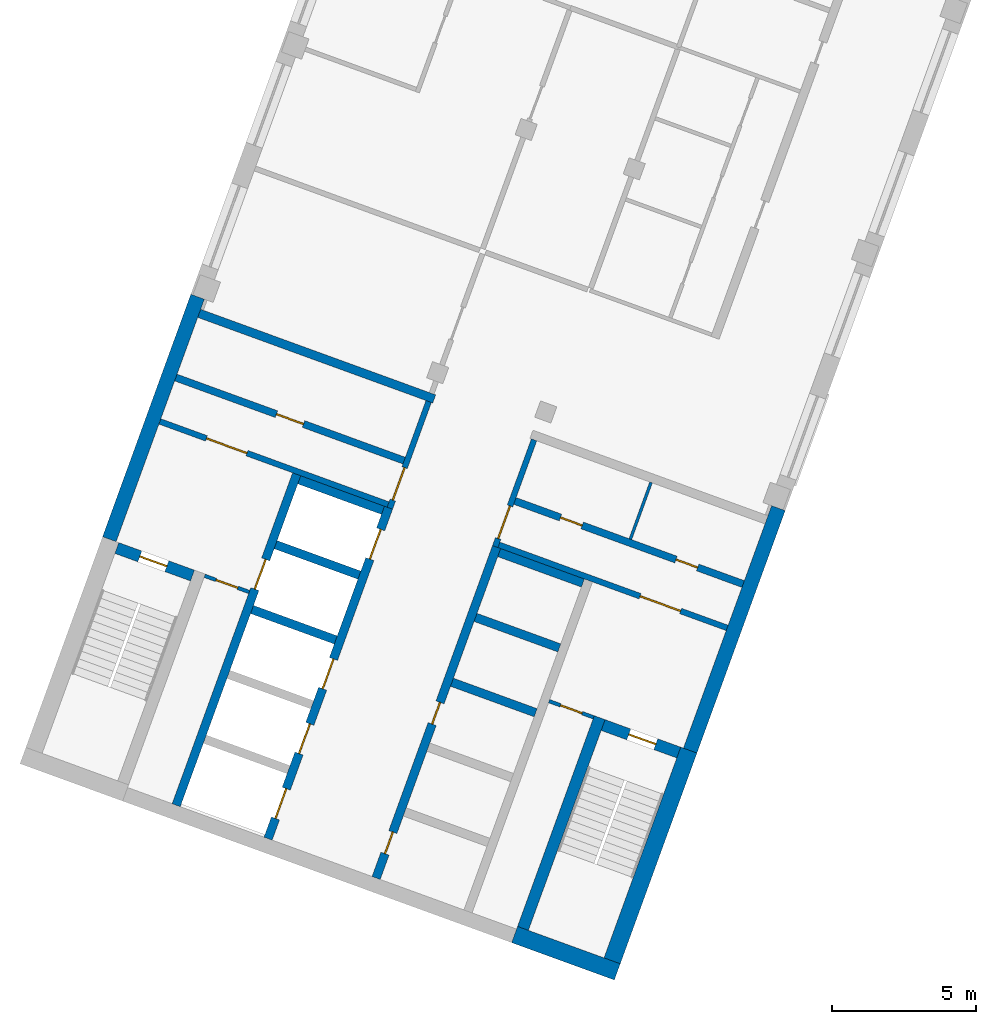
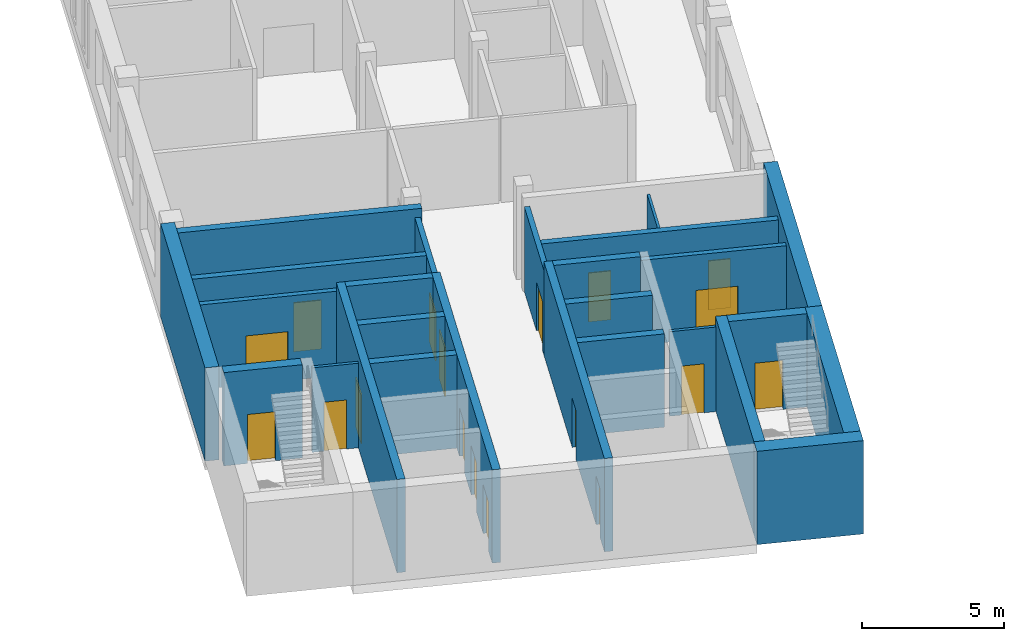
# One storey, part 2 of 8: 26 walls, 18 doors, 18 openings.
"""IFC4 building model written with IfcOpenShell, lengths in metres."""

import ifcopenshell
import ifcopenshell.guid

model = None  # the IFC model being written
_history = None  # IfcOwnerHistory: only IFC2X3 demands one
_inside = {}  # id of a spatial element -> (the spatial element, [elements in it])
_under = {}  # id of a project, library or spatial element -> (it, [spatial elements below it])
_declared = {}  # id of a project -> (the project, [libraries it declares])
_typed = {}  # id of a type object -> (the type object, [elements of that type])
_made_of = {}  # id of a material, layer set ... -> (it, [elements and type objects made of it])


def new_model(schema):
    """Start an empty IFC model of exactly this schema.

    Asked for "IFC4X3", IfcOpenShell would pick the latest addendum, in which some entities
    have other attributes; the version numbers below select the first issue.
    IFC2X3 requires an IfcOwnerHistory on every rooted entity: one is made here for all.
    """
    global model, _history
    if schema == "IFC4X3":
        model = ifcopenshell.file(schema_version=(4, 3, 0, 0))
    else:
        model = ifcopenshell.file(schema=schema)
    _inside.clear()
    _under.clear()
    _declared.clear()
    _typed.clear()
    _made_of.clear()
    _history = None
    if model.schema == "IFC2X3":
        org = make("IfcOrganization", Name="unknown")
        user = make(
            "IfcPersonAndOrganization",
            ThePerson=make("IfcPerson", FamilyName="unknown"),
            TheOrganization=org,
        )
        app = make(
            "IfcApplication",
            ApplicationDeveloper=org,
            Version="unknown",
            ApplicationFullName="unknown",
            ApplicationIdentifier="unknown",
        )
        _history = make(
            "IfcOwnerHistory",
            OwningUser=user,
            OwningApplication=app,
            ChangeAction="ADDED",
            CreationDate=0,
        )
    return model


def make(cls, **values):
    """One entity of the class cls with the attributes given. An attribute that is None is left unset."""
    return model.create_entity(
        cls, **{name: value for name, value in values.items() if value is not None}
    )


def rooted(cls, **values):
    """An entity with a GlobalId (a new one), such as an element, a storey or a relation."""
    return make(cls, GlobalId=ifcopenshell.guid.new(), OwnerHistory=_history, **values)


def si_unit(unit_type, name, prefix=None):
    """IfcSIUnit, for example si_unit("LENGTHUNIT", "METRE", prefix="MILLI")."""
    return make("IfcSIUnit", UnitType=unit_type, Prefix=prefix, Name=name)


def assignment(units):
    """IfcUnitAssignment: the units of a project."""
    return None if units is None else make("IfcUnitAssignment", Units=units)


def point(xyz):
    """IfcCartesianPoint."""
    return None if xyz is None else make("IfcCartesianPoint", Coordinates=xyz)


def direction(xyz):
    """IfcDirection."""
    return None if xyz is None else make("IfcDirection", DirectionRatios=xyz)


def frame(location, z_axis=None, x_axis=None):
    """IfcAxis2Placement3D, a coordinate frame: its origin and axes. An axis left out is left unset."""
    return make(
        "IfcAxis2Placement3D",
        Location=point(location),
        Axis=direction(z_axis),
        RefDirection=direction(x_axis),
    )


def frame_2d(location, x_axis=None):
    """IfcAxis2Placement2D, a coordinate frame in the plane: its origin and x axis."""
    return make(
        "IfcAxis2Placement2D", Location=point(location), RefDirection=direction(x_axis)
    )


def origin():
    """The frame at (0, 0, 0) with its axes left unset."""
    return frame((0.0, 0.0, 0.0))


def place(relative_to, where):
    """IfcLocalPlacement: puts the frame where relative to a parent placement (None: the world)."""
    return make(
        "IfcLocalPlacement", PlacementRelTo=relative_to, RelativePlacement=where
    )


def context(
    kind, dimensions, precision=None, world=None, true_north=None, identifier=None
):
    """IfcGeometricRepresentationContext, for example the 3D "Model" context."""
    return make(
        "IfcGeometricRepresentationContext",
        ContextIdentifier=identifier,
        ContextType=kind,
        CoordinateSpaceDimension=dimensions,
        Precision=precision,
        WorldCoordinateSystem=world,
        TrueNorth=true_north,
    )


def subcontext(parent, identifier, kind, view, scale=None):
    """IfcGeometricRepresentationSubContext, for example "Body" below "Model"."""
    return make(
        "IfcGeometricRepresentationSubContext",
        ContextIdentifier=identifier,
        ContextType=kind,
        ParentContext=parent,
        TargetScale=scale,
        TargetView=view,
    )


def project(units=None, contexts=None):
    """IfcProject with its units and contexts."""
    return rooted(
        "IfcProject",
        Name="project",
        RepresentationContexts=contexts,
        UnitsInContext=assignment(units),
    )


def spatial(cls, under=None, at=None, **own):
    """A site, building, storey or space (cls), placed at a placement, below another one or the project."""
    s = rooted(cls, ObjectPlacement=at, **own)
    if under is not None:
        _under.setdefault(under.id(), (under, []))[1].append(s)
    return s


def profile(cls, at=None, kind="AREA", **sizes):
    """A parametric profile (cls). Its sizes go by their IFC names, for example OverallWidth=200.0."""
    return make(cls, ProfileType=kind, Position=at, **sizes)


def rectangle(**sizes):
    """IfcRectangleProfileDef."""
    return profile("IfcRectangleProfileDef", **sizes)


def extrude(swept, where, along, depth):
    """IfcExtrudedAreaSolid: the profile swept, set in the frame where, extruded along a direction by depth."""
    return make(
        "IfcExtrudedAreaSolid",
        SweptArea=swept,
        Position=where,
        ExtrudedDirection=direction(along),
        Depth=depth,
    )


def shape(context_of_items, identifier, shape_type, items):
    """IfcShapeRepresentation: the items that make up one representation, for example the "Body"."""
    return make(
        "IfcShapeRepresentation",
        ContextOfItems=context_of_items,
        RepresentationIdentifier=identifier,
        RepresentationType=shape_type,
        Items=items,
    )


def material(Name=None, Category=None):
    """IfcMaterial."""
    return make("IfcMaterial", Name=Name, Category=Category)


def layer(
    of_material, thickness, ventilated=None, Name=None, Category=None, Priority=None
):
    """IfcMaterialLayer: one layer of a wall or slab, of a material (None: an air gap)."""
    return make(
        "IfcMaterialLayer",
        Material=of_material,
        LayerThickness=thickness,
        IsVentilated=ventilated,
        Name=Name,
        Category=Category,
        Priority=Priority,
    )


def layer_set(layers, Name=None):
    """IfcMaterialLayerSet."""
    return make("IfcMaterialLayerSet", MaterialLayers=layers, LayerSetName=Name)


def made_of(thing, what):
    """Note that an element or type object is made of a material, layer set ...; save() writes the relation."""
    if what is not None:
        _made_of.setdefault(what.id(), (what, []))[1].append(thing)
    return thing


def type_object(cls, material=None, **own):
    """A type object (cls), such as IfcWallType, which elements share."""
    return made_of(rooted(cls, **own), material)


def element(
    cls,
    number,
    at=None,
    inside=None,
    cuts=None,
    type_object=None,
    material=None,
    context=None,
    identifier="Body",
    shape_type=None,
    held_by="IfcProductDefinitionShape",
    body=None,
    shapes=None,
    **own,
):
    """One element of the class cls, such as IfcWall. Its Tag is "e" and its number.

    at: its placement. inside: the storey or other place that contains it. cuts: it is an
    opening in that element (IfcRelVoidsElement). A single representation is given by context,
    identifier, shape_type and body (its items); several are given by shapes. held_by: the class
    of the entity that holds the representations. save() writes the other relations.
    """
    e = rooted(cls, Tag="e%d" % number, ObjectPlacement=at, **own)
    if body is not None:
        shapes = [shape(context, identifier, shape_type, body)]
    if shapes is not None:
        e.Representation = make(held_by, Representations=shapes)
    if inside is not None:
        _inside.setdefault(inside.id(), (inside, []))[1].append(e)
    if cuts is not None:
        rooted(
            "IfcRelVoidsElement", RelatingBuildingElement=cuts, RelatedOpeningElement=e
        )
    if type_object is not None:
        _typed.setdefault(type_object.id(), (type_object, []))[1].append(e)
    return made_of(e, material)


def fill(opening, filler):
    """IfcRelFillsElement: the door or window that sits in an opening."""
    return rooted(
        "IfcRelFillsElement",
        RelatingOpeningElement=opening,
        RelatedBuildingElement=filler,
    )


def aggregate(whole, parts):
    """IfcRelAggregates: a whole, such as a stair, and the parts it consists of."""
    return rooted("IfcRelAggregates", RelatingObject=whole, RelatedObjects=parts)


def save(model, path):
    """Write the relations noted so far, then the file.

    IfcRelAggregates (storeys below a building ...), IfcRelContainedInSpatialStructure (elements
    in a storey), IfcRelDefinesByType, IfcRelAssociatesMaterial and IfcRelDeclares: one each for
    every whole, place, type object, material and project.
    """
    for whole, parts in _under.values():
        aggregate(whole, parts)
    for where, things in _inside.values():
        rooted(
            "IfcRelContainedInSpatialStructure",
            RelatedElements=things,
            RelatingStructure=where,
        )
    for kind, things in _typed.values():
        rooted("IfcRelDefinesByType", RelatedObjects=things, RelatingType=kind)
    for what, things in _made_of.values():
        rooted("IfcRelAssociatesMaterial", RelatedObjects=things, RelatingMaterial=what)
    for by, libraries in _declared.values():
        rooted("IfcRelDeclares", RelatingContext=by, RelatedDefinitions=libraries)
    model.write(path)


model = new_model("IFC4")

# Units and contexts
model_context = context("Model", 3, precision=1e-05, world=origin(), true_north=direction((0.0, 1.0)))
body_context = subcontext(model_context, "Body", "Model", "MODEL_VIEW")
ifc_project = project(units=[si_unit("LENGTHUNIT", "METRE"), si_unit("AREAUNIT", "SQUARE_METRE"), si_unit("VOLUMEUNIT", "CUBIC_METRE"), si_unit("PLANEANGLEUNIT", "RADIAN"), si_unit("MASSUNIT", "GRAM", prefix="KILO")], contexts=[model_context])

# Site, building, storey
site_placement = place(None, origin())
site = spatial("IfcSite", under=ifc_project, at=site_placement, CompositionType="ELEMENT")
building_placement = place(site_placement, origin())
building = spatial("IfcBuilding", under=site, at=building_placement, Name="Skarvind Civic Tower", CompositionType="ELEMENT")
storey_placement = place(building_placement, frame((0.0, 0.0, 232.0)))
storey = spatial("IfcBuildingStorey", under=building, at=storey_placement, Name="L55", CompositionType="ELEMENT", Elevation=232.0)

# Wall, opening, door
ifc_material_1 = material(Name="Fire-rated masonry partition", Category="masonry")
ifc_layer_1 = layer(ifc_material_1, 0.199951171875)
ifc_layer_set_1 = layer_set([ifc_layer_1], Name="Core enclosure wall 200")
wall_type_1 = type_object("IfcWallType", Name="Core enclosure wall 200", PredefinedType="PARTITIONING", material=ifc_layer_set_1)
wall_1_placement = place(storey_placement, frame((31.42724609375, 93.663330078125, 0.0), z_axis=(0.0, 0.0, 1.0), x_axis=(0.342030870568, 0.93968871632, 0.0)))
wall_1 = element("IfcWall", 1, at=wall_1_placement, inside=storey, type_object=wall_type_1, Name="Core wall C2", PredefinedType="PARTITIONING", context=body_context, shape_type="SweptSolid", body=[
    extrude(rectangle(XDim=3.9501953125, YDim=0.199951171875, at=frame_2d((1.97509765625, 0.0))), origin(), (0.0, 0.0, 1.0), 3.625),
])
opening_1_placement = place(wall_1_placement, frame((0.300048828125, 0.0, 0.0)))
opening_1 = element("IfcOpeningElement", 2, at=opening_1_placement, cuts=wall_1, Name="Opening D-L55-C2-07", PredefinedType="OPENING", context=body_context, shape_type="SweptSolid", body=[
    extrude(rectangle(XDim=1.199951171875, YDim=2.10009765625, at=frame_2d((0.60009765625, 1.050048828125))), frame((0.0, 0.10986328125, 0.0), z_axis=(0.0, -1.0, 0.0), x_axis=(1.0, 0.0, 0.0)), (0.0, 0.0, 1.0), 0.219970703125),
])
ifc_material_2 = material(Name="Fire-rated steel door", Category="steel")
door_type_1 = type_object("IfcDoorType", Name="Core lobby door 1200", OperationType="NOTDEFINED", PredefinedType="DOOR", material=ifc_material_2)
door_1_placement = place(opening_1_placement, origin())
door_1 = element("IfcDoor", 3, at=door_1_placement, inside=storey, type_object=door_type_1, Name="Fire door", OperationType="DOUBLE_DOOR_SINGLE_SWING", OverallHeight=2.10009765625, OverallWidth=1.199951171875, PredefinedType="DOOR", context=body_context, shape_type="SweptSolid", body=[
    extrude(rectangle(XDim=1.199951171875, YDim=2.10009765625, at=frame_2d((0.60009765625, 1.050048828125))), frame((0.0, 0.02490234375, 0.0), z_axis=(0.0, -1.0, 0.0), x_axis=(1.0, 0.0, 0.0)), (0.0, 0.0, 1.0), 0.050048828125),
])
fill(opening_1, door_1)

wall_2_placement = place(storey_placement, frame((23.42724609375, 96.681640625, 0.0), z_axis=(0.0, 0.0, 1.0), x_axis=(0.939690465531, -0.342026064782, 0.0)))
wall_2 = element("IfcWall", 4, at=wall_2_placement, inside=storey, type_object=wall_type_1, Name="Core wall C2", PredefinedType="PARTITIONING", context=body_context, shape_type="SweptSolid", body=[
    extrude(rectangle(XDim=8.449951171875, YDim=0.199951171875, at=frame_2d((4.22509765625, 0.0))), origin(), (0.0, 0.0, 1.0), 3.625),
])
opening_2_placement = place(wall_2_placement, frame((1.72509765625, 0.0, 0.0)))
opening_2 = element("IfcOpeningElement", 5, at=opening_2_placement, cuts=wall_2, Name="Opening D-L55-C2-08", PredefinedType="OPENING", context=body_context, shape_type="SweptSolid", body=[
    extrude(rectangle(XDim=1.5, YDim=2.10009765625, at=frame_2d((0.75, 1.050048828125))), frame((0.0, 0.10986328125, 0.0), z_axis=(0.0, -1.0, 0.0), x_axis=(1.0, 0.0, 0.0)), (0.0, 0.0, 1.0), 0.219970703125),
])
door_type_2 = type_object("IfcDoorType", Name="Fire door 1500", OperationType="NOTDEFINED", PredefinedType="DOOR", material=ifc_material_2)
door_2_placement = place(opening_2_placement, origin())
door_2 = element("IfcDoor", 6, at=door_2_placement, inside=storey, type_object=door_type_2, Name="Fire door", OperationType="DOUBLE_DOOR_SINGLE_SWING", OverallHeight=2.10009765625, OverallWidth=1.5, PredefinedType="DOOR", context=body_context, shape_type="SweptSolid", body=[
    extrude(rectangle(XDim=1.5, YDim=2.10009765625, at=frame_2d((0.75, 1.050048828125))), frame((0.0, 0.02490234375, 0.0), z_axis=(0.0, -1.0, 0.0), x_axis=(1.0, 0.0, 0.0)), (0.0, 0.0, 1.0), 0.050048828125),
])
fill(opening_2, door_2)

wall_3_placement = place(storey_placement, frame((36.443115234375, 96.041259765625, 0.0), z_axis=(0.0, 0.0, 1.0), x_axis=(-0.341996156931, -0.939701350773, 0.0)))
wall_3 = element("IfcWall", 7, at=wall_3_placement, inside=storey, type_object=wall_type_1, Name="Core wall C2", PredefinedType="PARTITIONING", context=body_context, shape_type="SweptSolid", body=[
    extrude(rectangle(XDim=3.949951171875, YDim=0.199951171875, at=frame_2d((1.97509765625, 0.0))), origin(), (0.0, 0.0, 1.0), 3.625),
])
opening_3_placement = place(wall_3_placement, frame((2.449951171875, 0.0, 0.0)))
opening_3 = element("IfcOpeningElement", 8, at=opening_3_placement, cuts=wall_3, Name="Opening D-L55-C2-12", PredefinedType="OPENING", context=body_context, shape_type="SweptSolid", body=[
    extrude(rectangle(XDim=1.199951171875, YDim=2.10009765625, at=frame_2d((0.60009765625, 1.050048828125))), frame((0.0, 0.10986328125, 0.0), z_axis=(0.0, -1.0, 0.0), x_axis=(1.0, 0.0, 0.0)), (0.0, 0.0, 1.0), 0.219970703125),
])
door_3_placement = place(opening_3_placement, origin())
door_3 = element("IfcDoor", 9, at=door_3_placement, inside=storey, type_object=door_type_1, Name="Fire door", OperationType="DOUBLE_DOOR_SINGLE_SWING", OverallHeight=2.10009765625, OverallWidth=1.199951171875, PredefinedType="DOOR", context=body_context, shape_type="SweptSolid", body=[
    extrude(rectangle(XDim=1.199951171875, YDim=2.10009765625, at=frame_2d((0.60009765625, 1.050048828125))), frame((0.0, 0.02490234375, 0.0), z_axis=(0.0, -1.0, 0.0), x_axis=(1.0, 0.0, 0.0)), (0.0, 0.0, 1.0), 0.050048828125),
])
fill(opening_3, door_3)

wall_4_placement = place(storey_placement, frame((35.22021484375, 92.389404296875, 0.0), z_axis=(0.0, 0.0, 1.0), x_axis=(0.939690465531, -0.342026064782, 0.0)))
wall_4 = element("IfcWall", 10, at=wall_4_placement, inside=storey, type_object=wall_type_1, Name="Core wall C2", PredefinedType="PARTITIONING", context=body_context, shape_type="SweptSolid", body=[
    extrude(rectangle(XDim=8.449951171875, YDim=0.199951171875, at=frame_2d((4.22509765625, 0.0))), origin(), (0.0, 0.0, 1.0), 3.625),
])
opening_4_placement = place(wall_4_placement, frame((5.22509765625, 0.0, 0.0)))
opening_4 = element("IfcOpeningElement", 11, at=opening_4_placement, cuts=wall_4, Name="Opening D-L55-C2-13", PredefinedType="OPENING", context=body_context, shape_type="SweptSolid", body=[
    extrude(rectangle(XDim=1.5, YDim=2.10009765625, at=frame_2d((0.75, 1.050048828125))), frame((0.0, 0.10986328125, 0.0), z_axis=(0.0, -1.0, 0.0), x_axis=(1.0, 0.0, 0.0)), (0.0, 0.0, 1.0), 0.219970703125),
])
door_4_placement = place(opening_4_placement, origin())
door_4 = element("IfcDoor", 12, at=door_4_placement, inside=storey, type_object=door_type_2, Name="Fire door", OperationType="DOUBLE_DOOR_SINGLE_SWING", OverallHeight=2.10009765625, OverallWidth=1.5, PredefinedType="DOOR", context=body_context, shape_type="SweptSolid", body=[
    extrude(rectangle(XDim=1.5, YDim=2.10009765625, at=frame_2d((0.75, 1.050048828125))), frame((0.0, 0.02490234375, 0.0), z_axis=(0.0, -1.0, 0.0), x_axis=(1.0, 0.0, 0.0)), (0.0, 0.0, 1.0), 0.050048828125),
])
fill(opening_4, door_4)

# Wall
ifc_material_3 = material(Name="Fire-rated plasterboard partition")
ifc_layer_2 = layer(ifc_material_3, 0.10009765625)
ifc_layer_set_2 = layer_set([ifc_layer_2], Name="Core partition wall 100")
wall_type_2 = type_object("IfcWallType", Name="Core partition wall 100", PredefinedType="PARTITIONING", material=ifc_layer_set_2)
wall_5_placement = place(storey_placement, frame((40.511962890625, 94.560302734375, 0.0), z_axis=(0.0, 0.0, 1.0), x_axis=(-0.342023078919, -0.939691552312, 0.0)))
element("IfcWall", 13, at=wall_5_placement, inside=storey, type_object=wall_type_2, Name="Core wall C2", PredefinedType="PARTITIONING", context=body_context, shape_type="SweptSolid", body=[
    extrude(rectangle(XDim=2.10009765625, YDim=0.10009765625, at=frame_2d((1.050048828125, 0.0))), origin(), (0.0, 0.0, 1.0), 3.625),
])

# Wall, openings, doors
ifc_material_4 = material(Name="Concrete C60", Category="concrete")
ifc_layer_3 = layer(ifc_material_4, 0.300048828125)
ifc_layer_set_3 = layer_set([ifc_layer_3], Name="Core wall 300 C60")
wall_type_3 = type_object("IfcWallType", Name="Core wall 300 C60", PredefinedType="SHEAR", material=ifc_layer_set_3)
wall_6_placement = place(storey_placement, frame((30.949462890625, 80.80126953125, 0.0), z_axis=(0.0, 0.0, 1.0), x_axis=(0.342016684409, 0.939693879721, 0.0)))
wall_6 = element("IfcWall", 14, at=wall_6_placement, inside=storey, type_object=wall_type_3, Name="Core wall C2 south lift row front L55", PredefinedType="SHEAR", context=body_context, shape_type="SweptSolid", body=[
    extrude(rectangle(XDim=12.25, YDim=0.300048828125, at=frame_2d((6.125, 0.0))), origin(), (0.0, 0.0, 1.0), 4.0),
])
opening_5_placement = place(wall_6_placement, frame((0.89990234375, 0.0, 0.0)))
opening_5 = element("IfcOpeningElement", 15, at=opening_5_placement, cuts=wall_6, Name="Opening D-L55-C2-05", PredefinedType="OPENING", context=body_context, shape_type="SweptSolid", body=[
    extrude(rectangle(XDim=0.800048828125, YDim=2.10009765625, at=frame_2d((0.39990234375, 1.050048828125))), frame((0.0, 0.159912109375, 0.0), z_axis=(0.0, -1.0, 0.0), x_axis=(1.0, 0.0, 0.0)), (0.0, 0.0, 1.0), 0.320068359375),
])
opening_6_placement = place(wall_6_placement, frame((5.699951171875, 0.0, 0.0)))
opening_6 = element("IfcOpeningElement", 16, at=opening_6_placement, cuts=wall_6, Name="Opening D-L55-C2-06", PredefinedType="OPENING", context=body_context, shape_type="SweptSolid", body=[
    extrude(rectangle(XDim=0.800048828125, YDim=2.10009765625, at=frame_2d((0.39990234375, 1.050048828125))), frame((0.0, 0.159912109375, 0.0), z_axis=(0.0, -1.0, 0.0), x_axis=(1.0, 0.0, 0.0)), (0.0, 0.0, 1.0), 0.320068359375),
])
door_type_3 = type_object("IfcDoorType", Name="Core riser door 800", OperationType="NOTDEFINED", PredefinedType="DOOR", material=ifc_material_2)
door_5_placement = place(opening_5_placement, origin())
door_5 = element("IfcDoor", 17, at=door_5_placement, inside=storey, type_object=door_type_3, Name="Riser door", OperationType="SINGLE_SWING_LEFT", OverallHeight=2.10009765625, OverallWidth=0.800048828125, PredefinedType="DOOR", context=body_context, shape_type="SweptSolid", body=[
    extrude(rectangle(XDim=0.800048828125, YDim=2.10009765625, at=frame_2d((0.39990234375, 1.050048828125))), frame((0.0, 0.02490234375, 0.0), z_axis=(0.0, -1.0, 0.0), x_axis=(1.0, 0.0, 0.0)), (0.0, 0.0, 1.0), 0.050048828125),
])
fill(opening_5, door_5)
door_6_placement = place(opening_6_placement, origin())
door_6 = element("IfcDoor", 18, at=door_6_placement, inside=storey, type_object=door_type_3, Name="Riser door", OperationType="SINGLE_SWING_RIGHT", OverallHeight=2.10009765625, OverallWidth=0.800048828125, PredefinedType="DOOR", context=body_context, shape_type="SweptSolid", body=[
    extrude(rectangle(XDim=0.800048828125, YDim=2.10009765625, at=frame_2d((0.39990234375, 1.050048828125))), frame((0.0, 0.02490234375, 0.0), z_axis=(0.0, -1.0, 0.0), x_axis=(1.0, 0.0, 0.0)), (0.0, 0.0, 1.0), 0.050048828125),
])
fill(opening_6, door_6)

# Walls
for number, where, z_axis, x_axis, name in (
    (19, (36.500244140625, 86.54931640625, 0.0), (0.0, 0.0, 1.0), (-0.939689908313, 0.342027595692, 0.0), "Core wall C2 south lift row division 3 L55"),
    (20, (37.321044921875, 88.8046875, 0.0), (0.0, 0.0, 1.0), (-0.939689908313, 0.342027595692, 0.0), "Core wall C2 south lift row division 4 L55"),
    (21, (38.141845703125, 91.059814453125, 0.0), (0.0, 0.0, 1.0), (-0.939689908313, 0.342027595692, 0.0), "Core wall C2 south lift row division 5 L55"),
):
    element("IfcWall", number, at=place(storey_placement, frame(where, z_axis=z_axis, x_axis=x_axis)), inside=storey, type_object=wall_type_3, Name=name, PredefinedType="SHEAR", context=body_context, shape_type="SweptSolid", body=[
        extrude(rectangle(XDim=3.10009765625, YDim=0.300048828125, at=frame_2d((1.550048828125, 0.0))), origin(), (0.0, 0.0, 1.0), 4.0),
    ])

# Wall, openings, doors
wall_7_placement = place(storey_placement, frame((27.190673828125, 82.169189453125, 0.0), z_axis=(0.0, 0.0, 1.0), x_axis=(0.342016684409, 0.939693879721, 0.0)))
wall_7 = element("IfcWall", 22, at=wall_7_placement, inside=storey, type_object=wall_type_3, Name="Core wall C2 north lift row front L55", PredefinedType="SHEAR", context=body_context, shape_type="SweptSolid", body=[
    extrude(rectangle(XDim=12.25, YDim=0.300048828125, at=frame_2d((6.125, 0.0))), origin(), (0.0, 0.0, 1.0), 4.0),
])
opening_7_placement = place(wall_7_placement, frame((0.75, 0.0, 0.0)))
opening_7 = element("IfcOpeningElement", 23, at=opening_7_placement, cuts=wall_7, Name="Opening LD57201", PredefinedType="OPENING", context=body_context, shape_type="SweptSolid", body=[
    extrude(rectangle(XDim=1.10009765625, YDim=2.10009765625, at=frame_2d((0.550048828125, 1.050048828125))), frame((0.0, 0.159912109375, 0.0), z_axis=(0.0, -1.0, 0.0), x_axis=(1.0, 0.0, 0.0)), (0.0, 0.0, 1.0), 0.320068359375),
])
opening_8_placement = place(wall_7_placement, frame((3.14990234375, 0.0, 0.0)))
opening_8 = element("IfcOpeningElement", 24, at=opening_8_placement, cuts=wall_7, Name="Opening LD57202", PredefinedType="OPENING", context=body_context, shape_type="SweptSolid", body=[
    extrude(rectangle(XDim=1.10009765625, YDim=2.10009765625, at=frame_2d((0.550048828125, 1.050048828125))), frame((0.0, 0.159912109375, 0.0), z_axis=(0.0, -1.0, 0.0), x_axis=(1.0, 0.0, 0.0)), (0.0, 0.0, 1.0), 0.320068359375),
])
opening_9_placement = place(wall_7_placement, frame((5.550048828125, 0.0, 0.0)))
opening_9 = element("IfcOpeningElement", 25, at=opening_9_placement, cuts=wall_7, Name="Opening LD57203", PredefinedType="OPENING", context=body_context, shape_type="SweptSolid", body=[
    extrude(rectangle(XDim=1.10009765625, YDim=2.10009765625, at=frame_2d((0.550048828125, 1.050048828125))), frame((0.0, 0.159912109375, 0.0), z_axis=(0.0, -1.0, 0.0), x_axis=(1.0, 0.0, 0.0)), (0.0, 0.0, 1.0), 0.320068359375),
])
opening_10_placement = place(wall_7_placement, frame((10.35009765625, 0.0, 0.0)))
opening_10 = element("IfcOpeningElement", 26, at=opening_10_placement, cuts=wall_7, Name="Opening LD57205", PredefinedType="OPENING", context=body_context, shape_type="SweptSolid", body=[
    extrude(rectangle(XDim=1.10009765625, YDim=2.10009765625, at=frame_2d((0.550048828125, 1.050048828125))), frame((0.0, 0.159912109375, 0.0), z_axis=(0.0, -1.0, 0.0), x_axis=(1.0, 0.0, 0.0)), (0.0, 0.0, 1.0), 0.320068359375),
])
ifc_material_5 = material(Name="Stainless steel landing door", Category="steel")
door_type_4 = type_object("IfcDoorType", Name="Lift landing door 1100", OperationType="DOUBLE_DOOR_SLIDING", PredefinedType="DOOR", material=ifc_material_5)
door_7_placement = place(opening_7_placement, origin())
door_7 = element("IfcDoor", 27, at=door_7_placement, inside=storey, type_object=door_type_4, Name="Lift landing door", OperationType="DOUBLE_DOOR_SLIDING", OverallHeight=2.10009765625, OverallWidth=1.10009765625, PredefinedType="DOOR", context=body_context, shape_type="SweptSolid", body=[
    extrude(rectangle(XDim=1.10009765625, YDim=2.10009765625, at=frame_2d((0.550048828125, 1.050048828125))), frame((0.0, 0.02490234375, 0.0), z_axis=(0.0, -1.0, 0.0), x_axis=(1.0, 0.0, 0.0)), (0.0, 0.0, 1.0), 0.050048828125),
])
fill(opening_7, door_7)
door_8_placement = place(opening_8_placement, origin())
door_8 = element("IfcDoor", 28, at=door_8_placement, inside=storey, type_object=door_type_4, Name="Lift landing door", OperationType="DOUBLE_DOOR_SLIDING", OverallHeight=2.10009765625, OverallWidth=1.10009765625, PredefinedType="DOOR", context=body_context, shape_type="SweptSolid", body=[
    extrude(rectangle(XDim=1.10009765625, YDim=2.10009765625, at=frame_2d((0.550048828125, 1.050048828125))), frame((0.0, 0.02490234375, 0.0), z_axis=(0.0, -1.0, 0.0), x_axis=(1.0, 0.0, 0.0)), (0.0, 0.0, 1.0), 0.050048828125),
])
fill(opening_8, door_8)
door_9_placement = place(opening_9_placement, origin())
door_9 = element("IfcDoor", 29, at=door_9_placement, inside=storey, type_object=door_type_4, Name="Lift landing door", OperationType="DOUBLE_DOOR_SLIDING", OverallHeight=2.10009765625, OverallWidth=1.10009765625, PredefinedType="DOOR", context=body_context, shape_type="SweptSolid", body=[
    extrude(rectangle(XDim=1.10009765625, YDim=2.10009765625, at=frame_2d((0.550048828125, 1.050048828125))), frame((0.0, 0.02490234375, 0.0), z_axis=(0.0, -1.0, 0.0), x_axis=(1.0, 0.0, 0.0)), (0.0, 0.0, 1.0), 0.050048828125),
])
fill(opening_9, door_9)
door_10_placement = place(opening_10_placement, origin())
door_10 = element("IfcDoor", 30, at=door_10_placement, inside=storey, type_object=door_type_4, Name="Lift landing door", OperationType="DOUBLE_DOOR_SLIDING", OverallHeight=2.10009765625, OverallWidth=1.10009765625, PredefinedType="DOOR", context=body_context, shape_type="SweptSolid", body=[
    extrude(rectangle(XDim=1.10009765625, YDim=2.10009765625, at=frame_2d((0.550048828125, 1.050048828125))), frame((0.0, 0.02490234375, 0.0), z_axis=(0.0, -1.0, 0.0), x_axis=(1.0, 0.0, 0.0)), (0.0, 0.0, 1.0), 0.050048828125),
])
fill(opening_10, door_10)

# Wall, opening, door
wall_8_placement = place(storey_placement, frame((23.99560546875, 83.33203125, 0.0), z_axis=(0.0, 0.0, 1.0), x_axis=(0.342016684409, 0.939693879721, 0.0)))
wall_8 = element("IfcWall", 31, at=wall_8_placement, inside=storey, type_object=wall_type_3, Name="Core wall C2 north lift row back L55", PredefinedType="SHEAR", context=body_context, shape_type="SweptSolid", body=[
    extrude(rectangle(XDim=12.25, YDim=0.300048828125, at=frame_2d((6.125, 0.0))), origin(), (0.0, 0.0, 1.0), 4.0),
])
opening_11_placement = place(wall_8_placement, frame((8.0, 0.0, 0.0)))
opening_11 = element("IfcOpeningElement", 32, at=opening_11_placement, cuts=wall_8, Name="Opening LD57204", PredefinedType="OPENING", context=body_context, shape_type="SweptSolid", body=[
    extrude(rectangle(XDim=1.10009765625, YDim=2.10009765625, at=frame_2d((0.550048828125, 1.050048828125))), frame((0.0, 0.159912109375, 0.0), z_axis=(0.0, -1.0, 0.0), x_axis=(1.0, 0.0, 0.0)), (0.0, 0.0, 1.0), 0.320068359375),
])
door_11_placement = place(opening_11_placement, origin())
door_11 = element("IfcDoor", 33, at=door_11_placement, inside=storey, type_object=door_type_4, Name="Lift landing door", OperationType="DOUBLE_DOOR_SLIDING", OverallHeight=2.10009765625, OverallWidth=1.10009765625, PredefinedType="DOOR", context=body_context, shape_type="SweptSolid", body=[
    extrude(rectangle(XDim=1.10009765625, YDim=2.10009765625, at=frame_2d((0.550048828125, 1.050048828125))), frame((0.0, 0.02490234375, 0.0), z_axis=(0.0, -1.0, 0.0), x_axis=(1.0, 0.0, 0.0)), (0.0, 0.0, 1.0), 0.050048828125),
])
fill(opening_11, door_11)

# Walls
wall_9_placement = place(storey_placement, frame((29.54638671875, 89.080322265625, 0.0), z_axis=(0.0, 0.0, 1.0), x_axis=(-0.939689908313, 0.342027595692, 0.0)))
element("IfcWall", 34, at=wall_9_placement, inside=storey, type_object=wall_type_3, Name="Core wall C2 north lift row division 3 L55", PredefinedType="SHEAR", context=body_context, shape_type="SweptSolid", body=[
    extrude(rectangle(XDim=3.10009765625, YDim=0.300048828125, at=frame_2d((1.550048828125, 0.0))), origin(), (0.0, 0.0, 1.0), 4.0),
])
for number, where, z_axis, x_axis, name in (
    (35, (30.3671875, 91.335693359375, 0.0), (0.0, 0.0, 1.0), (-0.939715217871, 0.341958051961, 0.0), "Core wall C2 north lift row division 4 L55"),
    (36, (31.18798828125, 93.5908203125, 0.0), (0.0, 0.0, 1.0), (-0.939680694448, 0.342052908892, 0.0), "Core wall C2 north lift row division 5 L55"),
):
    element("IfcWall", number, at=place(storey_placement, frame(where, z_axis=z_axis, x_axis=x_axis)), inside=storey, type_object=wall_type_3, Name=name, PredefinedType="SHEAR", context=body_context, shape_type="SweptSolid", body=[
        extrude(rectangle(XDim=3.099853515625, YDim=0.300048828125, at=frame_2d((1.5498046875, 0.0))), origin(), (0.0, 0.0, 1.0), 4.0),
    ])
wall_10_placement = place(storey_placement, frame((32.970703125, 97.46484375, 0.0), z_axis=(0.0, 0.0, 1.0), x_axis=(-0.939695066972, 0.34201342241, 0.0)))
element("IfcWall", 37, at=wall_10_placement, inside=storey, type_object=wall_type_3, Name="Core wall C2 north inner face L55", PredefinedType="SHEAR", context=body_context, shape_type="SweptSolid", body=[
    extrude(rectangle(XDim=8.7001953125, YDim=0.300048828125, at=frame_2d((4.35009765625, 0.0))), origin(), (0.0, 0.0, 1.0), 4.0),
])
ifc_layer_4 = layer(ifc_material_4, 0.39990234375)
ifc_layer_set_4 = layer_set([ifc_layer_4], Name="Core wall 400 C60")
wall_type_4 = type_object("IfcWallType", Name="Core wall 400 C60", PredefinedType="SHEAR", material=ifc_layer_set_4)
wall_11_placement = place(storey_placement, frame((36.057861328125, 79.04833984375, 0.0), z_axis=(0.0, 0.0, 1.0), x_axis=(0.342016982193, 0.939693771338, 0.0)))
element("IfcWall", 38, at=wall_11_placement, inside=storey, type_object=wall_type_4, Name="Core wall C2 south stair inner L55", PredefinedType="SHEAR", context=body_context, shape_type="SweptSolid", body=[
    extrude(rectangle(XDim=7.800048828125, YDim=0.39990234375, at=frame_2d((3.89990234375, 0.0))), origin(), (0.0, 0.0, 1.0), 4.0),
])

# Wall, opening, door
wall_12_placement = place(storey_placement, frame((41.476318359375, 85.163818359375, 0.0), z_axis=(0.0, 0.0, 1.0), x_axis=(-0.939678810556, 0.342058084236, 0.0)))
wall_12 = element("IfcWall", 39, at=wall_12_placement, inside=storey, type_object=wall_type_4, Name="Core wall C2 south stair end L55", PredefinedType="SHEAR", context=body_context, shape_type="SweptSolid", body=[
    extrude(rectangle(XDim=2.800048828125, YDim=0.39990234375, at=frame_2d((1.39990234375, 0.0))), origin(), (0.0, 0.0, 1.0), 4.0),
])
opening_12_placement = place(wall_12_placement, frame((0.85009765625, 0.0, 0.0)))
opening_12 = element("IfcOpeningElement", 40, at=opening_12_placement, cuts=wall_12, Name="Opening D-L55-C2-14", PredefinedType="OPENING", context=body_context, shape_type="SweptSolid", body=[
    extrude(rectangle(XDim=1.0, YDim=2.10009765625, at=frame_2d((0.5, 1.050048828125))), frame((0.0, 0.2099609375, 0.0), z_axis=(0.0, -1.0, 0.0), x_axis=(1.0, 0.0, 0.0)), (0.0, 0.0, 1.0), 0.419921875),
])
door_type_5 = type_object("IfcDoorType", Name="Fire door 1000", OperationType="NOTDEFINED", PredefinedType="DOOR", material=ifc_material_2)
door_12_placement = place(opening_12_placement, origin())
door_12 = element("IfcDoor", 41, at=door_12_placement, inside=storey, type_object=door_type_5, Name="Fire door", OperationType="SINGLE_SWING_RIGHT", OverallHeight=2.10009765625, OverallWidth=1.0, PredefinedType="DOOR", context=body_context, shape_type="SweptSolid", body=[
    extrude(rectangle(XDim=1.0, YDim=2.10009765625, at=frame_2d((0.5, 1.050048828125))), frame((0.0, 0.02490234375, 0.0), z_axis=(0.0, -1.0, 0.0), x_axis=(1.0, 0.0, 0.0)), (0.0, 0.0, 1.0), 0.050048828125),
])
fill(opening_12, door_12)

wall_13_placement = place(storey_placement, frame((24.56201171875, 91.3203125, 0.0), z_axis=(0.0, 0.0, 1.0), x_axis=(-0.939717030584, 0.341953070509, 0.0)))
wall_13 = element("IfcWall", 42, at=wall_13_placement, inside=storey, type_object=wall_type_4, Name="Core wall C2 north stair end L55", PredefinedType="SHEAR", context=body_context, shape_type="SweptSolid", body=[
    extrude(rectangle(XDim=2.800048828125, YDim=0.39990234375, at=frame_2d((1.39990234375, 0.0))), origin(), (0.0, 0.0, 1.0), 4.0),
])
opening_13_placement = place(wall_13_placement, frame((0.949951171875, 0.0, 0.0)))
opening_13 = element("IfcOpeningElement", 43, at=opening_13_placement, cuts=wall_13, Name="Opening D-L55-C2-09", PredefinedType="OPENING", context=body_context, shape_type="SweptSolid", body=[
    extrude(rectangle(XDim=1.0, YDim=2.10009765625, at=frame_2d((0.5, 1.050048828125))), frame((0.0, 0.2099609375, 0.0), z_axis=(0.0, -1.0, 0.0), x_axis=(1.0, 0.0, 0.0)), (0.0, 0.0, 1.0), 0.419921875),
])
door_13_placement = place(opening_13_placement, origin())
door_13 = element("IfcDoor", 44, at=door_13_placement, inside=storey, type_object=door_type_5, Name="Fire door", OperationType="SINGLE_SWING_LEFT", OverallHeight=2.10009765625, OverallWidth=1.0, PredefinedType="DOOR", context=body_context, shape_type="SweptSolid", body=[
    extrude(rectangle(XDim=1.0, YDim=2.10009765625, at=frame_2d((0.5, 1.050048828125))), frame((0.0, 0.02490234375, 0.0), z_axis=(0.0, -1.0, 0.0), x_axis=(1.0, 0.0, 0.0)), (0.0, 0.0, 1.0), 0.050048828125),
])
fill(opening_13, door_13)

# Walls
ifc_layer_5 = layer(ifc_material_4, 0.5)
ifc_layer_set_5 = layer_set([ifc_layer_5], Name="Core wall 500 C60")
wall_type_5 = type_object("IfcWallType", Name="Core wall 500 C60", PredefinedType="SHEAR", material=ifc_layer_set_5)
wall_14_placement = place(storey_placement, frame((41.873779296875, 85.232177734375, 0.0), z_axis=(0.0, 0.0, 1.0), x_axis=(0.342020437038, 0.939692513883, 0.0)))
element("IfcWall", 45, at=wall_14_placement, inside=storey, type_object=wall_type_5, Name="Core wall C2 south side L55", PredefinedType="SHEAR", context=body_context, shape_type="SweptSolid", body=[
    extrude(rectangle(XDim=8.974853515625, YDim=0.5, at=frame_2d((4.4873046875, 0.0))), origin(), (0.0, 0.0, 1.0), 4.0),
])
wall_15_placement = place(storey_placement, frame((21.670166015625, 92.58544921875, 0.0), z_axis=(0.0, 0.0, 1.0), x_axis=(0.342035714298, 0.93968695327, 0.0)))
element("IfcWall", 46, at=wall_15_placement, inside=storey, type_object=wall_type_5, Name="Core wall C2 north side L55", PredefinedType="SHEAR", context=body_context, shape_type="SweptSolid", body=[
    extrude(rectangle(XDim=8.97509765625, YDim=0.5, at=frame_2d((4.487548828125, 0.0))), origin(), (0.0, 0.0, 1.0), 4.0),
])
ifc_layer_6 = layer(ifc_material_4, 0.60009765625)
ifc_layer_set_6 = layer_set([ifc_layer_6], Name="Core wall 600 C60")
wall_type_6 = type_object("IfcWallType", Name="Core wall 600 C60", PredefinedType="SHEAR", material=ifc_layer_set_6)
wall_16_placement = place(storey_placement, frame((39.338134765625, 77.53515625, 0.0), z_axis=(0.0, 0.0, 1.0), x_axis=(-0.939701471648, 0.341995824804, 0.0)))
element("IfcWall", 47, at=wall_16_placement, inside=storey, type_object=wall_type_6, Name="Core wall C2 tip at the south stair L55", PredefinedType="SHEAR", context=body_context, shape_type="SweptSolid", body=[
    extrude(rectangle(XDim=3.800048828125, YDim=0.60009765625, at=frame_2d((1.89990234375, 0.0))), origin(), (0.0, 0.0, 1.0), 4.0),
])
wall_17_placement = place(storey_placement, frame((39.158935546875, 77.919677734375, 0.0), z_axis=(0.0, 0.0, 1.0), x_axis=(0.342016982193, 0.939693771338, 0.0)))
element("IfcWall", 48, at=wall_17_placement, inside=storey, type_object=wall_type_6, Name="Core wall C2 south side at the stair L55", PredefinedType="SHEAR", context=body_context, shape_type="SweptSolid", body=[
    extrude(rectangle(XDim=7.800048828125, YDim=0.60009765625, at=frame_2d((3.89990234375, 0.0))), origin(), (0.0, 0.0, 1.0), 4.0),
])

# Wall, opening, door
ifc_layer_7 = layer(ifc_material_1, 0.125)
ifc_layer_set_7 = layer_set([ifc_layer_7], Name="Riser wall 125")
wall_type_7 = type_object("IfcWallType", Name="Riser wall 125", PredefinedType="PARTITIONING", material=ifc_layer_set_7)
wall_18_placement = place(storey_placement, frame((24.98486328125, 91.3125, 0.0), z_axis=(0.0, 0.0, 1.0), x_axis=(0.939719959755, -0.341945020783, 0.0)))
wall_18 = element("IfcWall", 49, at=wall_18_placement, inside=storey, type_object=wall_type_7, Name="Core wall C2", PredefinedType="PARTITIONING", context=body_context, shape_type="SweptSolid", body=[
    extrude(rectangle(XDim=1.64990234375, YDim=0.125, at=frame_2d((0.824951171875, 0.0))), origin(), (0.0, 0.0, 1.0), 3.625),
])
opening_14_placement = place(wall_18_placement, frame((0.425048828125, 0.0, 0.0)))
opening_14 = element("IfcOpeningElement", 50, at=opening_14_placement, cuts=wall_18, Name="Opening D-L55-C2-10", PredefinedType="OPENING", context=body_context, shape_type="SweptSolid", body=[
    extrude(rectangle(XDim=0.800048828125, YDim=2.10009765625, at=frame_2d((0.39990234375, 1.050048828125))), frame((0.0, 0.072509765625, 0.0), z_axis=(0.0, -1.0, 0.0), x_axis=(1.0, 0.0, 0.0)), (0.0, 0.0, 1.0), 0.14501953125),
])
door_14_placement = place(opening_14_placement, origin())
door_14 = element("IfcDoor", 51, at=door_14_placement, inside=storey, type_object=door_type_3, Name="Riser door", OperationType="SINGLE_SWING_RIGHT", OverallHeight=2.10009765625, OverallWidth=0.800048828125, PredefinedType="DOOR", context=body_context, shape_type="SweptSolid", body=[
    extrude(rectangle(XDim=0.800048828125, YDim=2.10009765625, at=frame_2d((0.39990234375, 1.050048828125))), frame((0.0, 0.02490234375, 0.0), z_axis=(0.0, -1.0, 0.0), x_axis=(1.0, 0.0, 0.0)), (0.0, 0.0, 1.0), 0.050048828125),
])
fill(opening_14, door_14)

wall_19_placement = place(storey_placement, frame((36.9658203125, 86.951904296875, 0.0), z_axis=(0.0, 0.0, 1.0), x_axis=(0.939672407396, -0.342075674051, 0.0)))
wall_19 = element("IfcWall", 52, at=wall_19_placement, inside=storey, type_object=wall_type_7, Name="Core wall C2", PredefinedType="PARTITIONING", context=body_context, shape_type="SweptSolid", body=[
    extrude(rectangle(XDim=1.650146484375, YDim=0.125, at=frame_2d((0.8251953125, 0.0))), origin(), (0.0, 0.0, 1.0), 3.625),
])
opening_15_placement = place(wall_19_placement, frame((0.425048828125, 0.0, 0.0)))
opening_15 = element("IfcOpeningElement", 53, at=opening_15_placement, cuts=wall_19, Name="Opening D-L55-C2-15", PredefinedType="OPENING", context=body_context, shape_type="SweptSolid", body=[
    extrude(rectangle(XDim=0.800048828125, YDim=2.10009765625, at=frame_2d((0.39990234375, 1.050048828125))), frame((0.0, 0.072509765625, 0.0), z_axis=(0.0, -1.0, 0.0), x_axis=(1.0, 0.0, 0.0)), (0.0, 0.0, 1.0), 0.14501953125),
])
door_15_placement = place(opening_15_placement, origin())
door_15 = element("IfcDoor", 54, at=door_15_placement, inside=storey, type_object=door_type_3, Name="Riser door", OperationType="SINGLE_SWING_LEFT", OverallHeight=2.10009765625, OverallWidth=0.800048828125, PredefinedType="DOOR", context=body_context, shape_type="SweptSolid", body=[
    extrude(rectangle(XDim=0.800048828125, YDim=2.10009765625, at=frame_2d((0.39990234375, 1.050048828125))), frame((0.0, 0.02490234375, 0.0), z_axis=(0.0, -1.0, 0.0), x_axis=(1.0, 0.0, 0.0)), (0.0, 0.0, 1.0), 0.050048828125),
])
fill(opening_15, door_15)

ifc_layer_8 = layer(ifc_material_1, 0.25)
ifc_layer_set_8 = layer_set([ifc_layer_8], Name="Service block wall 250")
wall_type_8 = type_object("IfcWallType", Name="Service block wall 250", PredefinedType="PARTITIONING", material=ifc_layer_set_8)
wall_20_placement = place(storey_placement, frame((23.98291015625, 98.20849609375, 0.0), z_axis=(0.0, 0.0, 1.0), x_axis=(0.939699751196, -0.342000552051, 0.0)))
wall_20 = element("IfcWall", 55, at=wall_20_placement, inside=storey, type_object=wall_type_8, Name="Core wall C2", PredefinedType="PARTITIONING", context=body_context, shape_type="SweptSolid", body=[
    extrude(rectangle(XDim=8.449951171875, YDim=0.25, at=frame_2d((4.22509765625, 0.0))), origin(), (0.0, 0.0, 1.0), 3.625),
])
opening_16_placement = place(wall_20_placement, frame((3.72509765625, 0.0, 0.0)))
opening_16 = element("IfcOpeningElement", 56, at=opening_16_placement, cuts=wall_20, Name="Opening D-L55-C2-11", PredefinedType="OPENING", context=body_context, shape_type="SweptSolid", body=[
    extrude(rectangle(XDim=1.0, YDim=2.10009765625, at=frame_2d((0.5, 1.050048828125))), frame((0.0, 0.135009765625, 0.0), z_axis=(0.0, -1.0, 0.0), x_axis=(1.0, 0.0, 0.0)), (0.0, 0.0, 1.0), 0.27001953125),
])
door_16_placement = place(opening_16_placement, origin())
door_16 = element("IfcDoor", 57, at=door_16_placement, inside=storey, type_object=door_type_5, Name="Fire door", OperationType="SINGLE_SWING_LEFT", OverallHeight=2.10009765625, OverallWidth=1.0, PredefinedType="DOOR", context=body_context, shape_type="SweptSolid", body=[
    extrude(rectangle(XDim=1.0, YDim=2.10009765625, at=frame_2d((0.5, 1.050048828125))), frame((0.0, 0.02490234375, 0.0), z_axis=(0.0, -1.0, 0.0), x_axis=(1.0, 0.0, 0.0)), (0.0, 0.0, 1.0), 0.050048828125),
])
fill(opening_16, door_16)

# Wall, openings, doors
wall_21_placement = place(storey_placement, frame((35.776123046875, 93.916259765625, 0.0), z_axis=(0.0, 0.0, 1.0), x_axis=(0.939690465531, -0.342026064782, 0.0)))
wall_21 = element("IfcWall", 58, at=wall_21_placement, inside=storey, type_object=wall_type_8, Name="Core wall C2", PredefinedType="PARTITIONING", context=body_context, shape_type="SweptSolid", body=[
    extrude(rectangle(XDim=8.449951171875, YDim=0.25, at=frame_2d((4.22509765625, 0.0))), origin(), (0.0, 0.0, 1.0), 3.625),
])
opening_17_placement = place(wall_21_placement, frame((1.68994140625, 0.0, 0.0)))
opening_17 = element("IfcOpeningElement", 59, at=opening_17_placement, cuts=wall_21, Name="Opening D-L55-C2-16", PredefinedType="OPENING", context=body_context, shape_type="SweptSolid", body=[
    extrude(rectangle(XDim=0.800048828125, YDim=2.10009765625, at=frame_2d((0.39990234375, 1.050048828125))), frame((0.0, 0.135009765625, 0.0), z_axis=(0.0, -1.0, 0.0), x_axis=(1.0, 0.0, 0.0)), (0.0, 0.0, 1.0), 0.27001953125),
])
opening_18_placement = place(wall_21_placement, frame((5.965087890625, 0.0, 0.0)))
opening_18 = element("IfcOpeningElement", 60, at=opening_18_placement, cuts=wall_21, Name="Opening D-L55-C2-17", PredefinedType="OPENING", context=body_context, shape_type="SweptSolid", body=[
    extrude(rectangle(XDim=0.800048828125, YDim=2.10009765625, at=frame_2d((0.39990234375, 1.050048828125))), frame((0.0, 0.135009765625, 0.0), z_axis=(0.0, -1.0, 0.0), x_axis=(1.0, 0.0, 0.0)), (0.0, 0.0, 1.0), 0.27001953125),
])
door_17_placement = place(opening_17_placement, origin())
door_17 = element("IfcDoor", 61, at=door_17_placement, inside=storey, type_object=door_type_3, Name="Riser door", OperationType="SINGLE_SWING_RIGHT", OverallHeight=2.10009765625, OverallWidth=0.800048828125, PredefinedType="DOOR", context=body_context, shape_type="SweptSolid", body=[
    extrude(rectangle(XDim=0.800048828125, YDim=2.10009765625, at=frame_2d((0.39990234375, 1.050048828125))), frame((0.0, 0.02490234375, 0.0), z_axis=(0.0, -1.0, 0.0), x_axis=(1.0, 0.0, 0.0)), (0.0, 0.0, 1.0), 0.050048828125),
])
fill(opening_17, door_17)
door_18_placement = place(opening_18_placement, origin())
door_18 = element("IfcDoor", 62, at=door_18_placement, inside=storey, type_object=door_type_3, Name="Riser door", OperationType="SINGLE_SWING_LEFT", OverallHeight=2.10009765625, OverallWidth=0.800048828125, PredefinedType="DOOR", context=body_context, shape_type="SweptSolid", body=[
    extrude(rectangle(XDim=0.800048828125, YDim=2.10009765625, at=frame_2d((0.39990234375, 1.050048828125))), frame((0.0, 0.02490234375, 0.0), z_axis=(0.0, -1.0, 0.0), x_axis=(1.0, 0.0, 0.0)), (0.0, 0.0, 1.0), 0.050048828125),
])
fill(opening_18, door_18)

save(model, "model.ifc")
